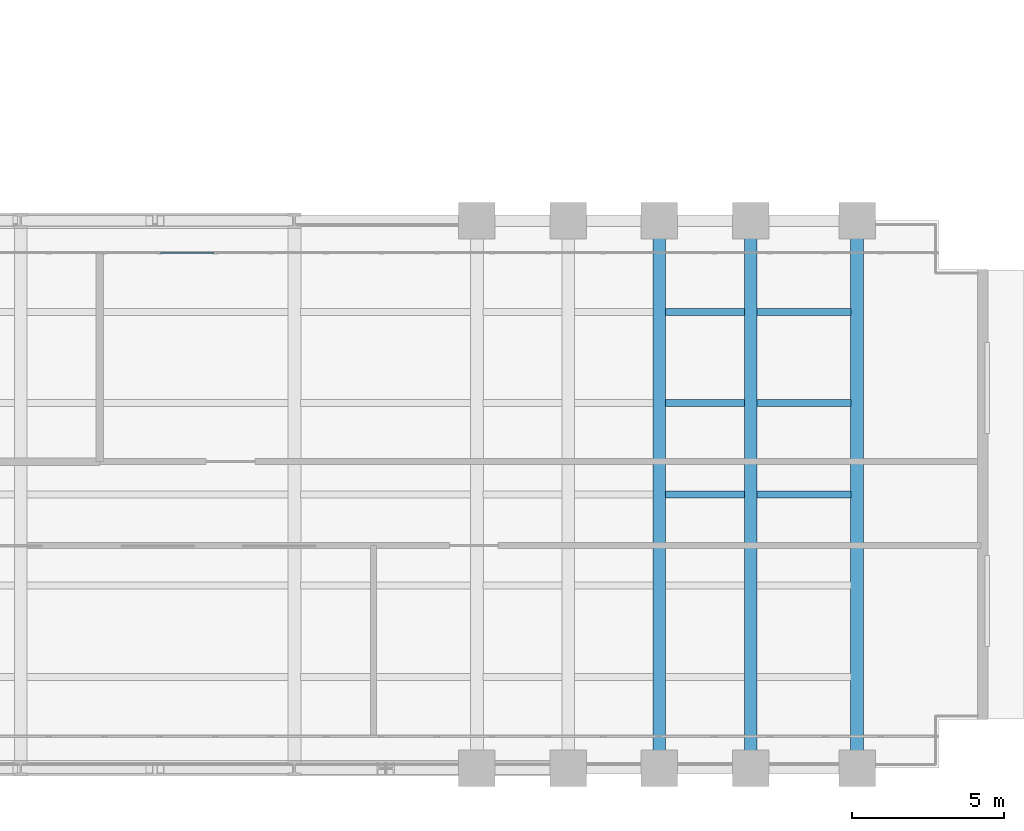
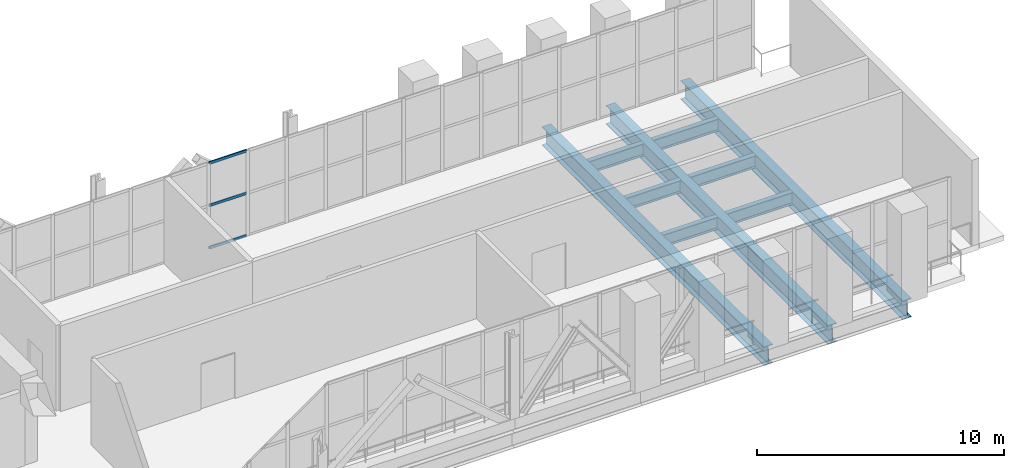
# One storey, part 16 of 27: 9 beams, 3 members, 1 element without a shape of its own.
"""IFC4 building model written with IfcOpenShell, lengths in metres."""

from ifc_helpers import new_model, si_unit, direction, frame, origin, origin_2d, place, context, subcontext, project, spatial, hollow_rectangle, i_section, extrude, material, layer, layer_set, material_profile, profile_set, type_object, element, aggregate, save


model = new_model("IFC4")

# Units and contexts
model_context = context("Model", 3, precision=1e-05, world=origin(), true_north=direction((0.0, 1.0)))
body_context = subcontext(model_context, "Body", "Model", "MODEL_VIEW")
ifc_project = project(units=[si_unit("LENGTHUNIT", "METRE"), si_unit("AREAUNIT", "SQUARE_METRE"), si_unit("VOLUMEUNIT", "CUBIC_METRE"), si_unit("PLANEANGLEUNIT", "RADIAN"), si_unit("MASSUNIT", "GRAM", prefix="KILO")], contexts=[model_context])

# Site, building, storey
site_placement = place(None, origin())
site = spatial("IfcSite", under=ifc_project, at=site_placement, CompositionType="ELEMENT")
building_placement = place(site_placement, origin())
building = spatial("IfcBuilding", under=site, at=building_placement, Name="Mawjdan Bourse Tower", CompositionType="ELEMENT")
storey_placement = place(building_placement, frame((0.0, 0.0, 84.60009765625)))
storey = spatial("IfcBuildingStorey", under=building, at=storey_placement, Name="L19", CompositionType="ELEMENT", Elevation=84.60009765625)

# Beams
ifc_material_1 = material(Name="Structural Steel S460", Category="steel")
ifc_material_profile_1 = material_profile(ifc_material_1, i_section(OverallWidth=0.41796875, OverallDepth=0.927001953125, WebThickness=0.019287109375, FlangeThickness=0.031982421875, FilletRadius=0.025634765625, at=origin_2d()), Name="W36X231")
ifc_profile_set_1 = profile_set([ifc_material_profile_1], Name="Structural Steel S460")
beam_type_1 = type_object("IfcBeamType", Name="GRD-W36X231", PredefinedType="BEAM", material=ifc_profile_set_1)
for number, where, z_axis, x_axis, name in (
    (1, (54.0, 3.0, -0.74365234375), (0.0, 1.0, 0.0), (-1.0, 0.0, 0.0), "L19 East Wing Clear-Span Girder 006"),
    (2, (57.0, 3.0, -0.74365234375), (0.0, 1.0, 0.0), (-1.0, 0.0, 0.0), "L19 East Wing Clear-Span Girder 007"),
    (3, (60.5, 3.0, -0.74365234375), (0.0, 1.0, 0.0), (-1.0, 0.0, 0.0), "L19 East Wing Clear-Span Girder 008"),
):
    element("IfcBeam", number, at=place(storey_placement, frame(where, z_axis=z_axis, x_axis=x_axis)), inside=storey, type_object=beam_type_1, Name=name, PredefinedType="BEAM", context=body_context, shape_type="SweptSolid", body=[
        extrude(i_section(OverallWidth=0.41796875, OverallDepth=0.927001953125, WebThickness=0.019287109375, FlangeThickness=0.031982421875, FilletRadius=0.025634765625, at=origin_2d()), origin(), (0.0, 0.0, 1.0), 18.0),
    ])
ifc_material_2 = material(Name="Structural Steel S355", Category="steel")
ifc_material_profile_2 = material_profile(ifc_material_2, i_section(OverallWidth=0.22998046875, OverallDepth=0.616943359375, WebThickness=0.01318359375, FlangeThickness=0.022216796875, FilletRadius=0.017822265625, at=origin_2d()), Name="W24X94")
ifc_profile_set_2 = profile_set([ifc_material_profile_2], Name="Structural Steel S355")
beam_type_2 = type_object("IfcBeamType", Name="JST-W24X94", PredefinedType="JOIST", material=ifc_profile_set_2)
beam_1_placement = place(storey_placement, frame((54.20703125, 12.0, -0.588623046875), z_axis=(1.0, 0.0, 0.0), x_axis=(0.0, 1.0, 0.0)))
element("IfcBeam", 4, at=beam_1_placement, inside=storey, type_object=beam_type_2, Name="L19 East Wing Composite Joist 042", PredefinedType="JOIST", context=body_context, shape_type="SweptSolid", body=[
    extrude(i_section(OverallWidth=0.22998046875, OverallDepth=0.616943359375, WebThickness=0.01318359375, FlangeThickness=0.022216796875, FilletRadius=0.017822265625, at=origin_2d()), origin(), (0.0, 0.0, 1.0), 2.5859375),
])
beam_2_placement = place(storey_placement, frame((57.20703125, 12.0, -0.588623046875), z_axis=(1.0, 0.0, 0.0), x_axis=(0.0, 1.0, 0.0)))
element("IfcBeam", 5, at=beam_2_placement, inside=storey, type_object=beam_type_2, Name="L19 East Wing Composite Joist 043", PredefinedType="JOIST", context=body_context, shape_type="SweptSolid", body=[
    extrude(i_section(OverallWidth=0.22998046875, OverallDepth=0.616943359375, WebThickness=0.01318359375, FlangeThickness=0.022216796875, FilletRadius=0.017822265625, at=origin_2d()), origin(), (0.0, 0.0, 1.0), 3.0859375),
])
beam_3_placement = place(storey_placement, frame((54.20703125, 15.0, -0.588623046875), z_axis=(1.0, 0.0, 0.0), x_axis=(0.0, 1.0, 0.0)))
element("IfcBeam", 6, at=beam_3_placement, inside=storey, type_object=beam_type_2, Name="L19 East Wing Composite Joist 049", PredefinedType="JOIST", context=body_context, shape_type="SweptSolid", body=[
    extrude(i_section(OverallWidth=0.22998046875, OverallDepth=0.616943359375, WebThickness=0.01318359375, FlangeThickness=0.022216796875, FilletRadius=0.017822265625, at=origin_2d()), origin(), (0.0, 0.0, 1.0), 2.5859375),
])
beam_4_placement = place(storey_placement, frame((57.20703125, 15.0, -0.588623046875), z_axis=(1.0, 0.0, 0.0), x_axis=(0.0, 1.0, 0.0)))
element("IfcBeam", 7, at=beam_4_placement, inside=storey, type_object=beam_type_2, Name="L19 East Wing Composite Joist 050", PredefinedType="JOIST", context=body_context, shape_type="SweptSolid", body=[
    extrude(i_section(OverallWidth=0.22998046875, OverallDepth=0.616943359375, WebThickness=0.01318359375, FlangeThickness=0.022216796875, FilletRadius=0.017822265625, at=origin_2d()), origin(), (0.0, 0.0, 1.0), 3.0859375),
])
beam_5_placement = place(storey_placement, frame((54.20703125, 18.0, -0.588623046875), z_axis=(1.0, 0.0, 0.0), x_axis=(0.0, 1.0, 0.0)))
element("IfcBeam", 8, at=beam_5_placement, inside=storey, type_object=beam_type_2, Name="L19 East Wing Composite Joist 056", PredefinedType="JOIST", context=body_context, shape_type="SweptSolid", body=[
    extrude(i_section(OverallWidth=0.22998046875, OverallDepth=0.616943359375, WebThickness=0.01318359375, FlangeThickness=0.022216796875, FilletRadius=0.017822265625, at=origin_2d()), origin(), (0.0, 0.0, 1.0), 2.5859375),
])
beam_6_placement = place(storey_placement, frame((57.20703125, 18.0, -0.588623046875), z_axis=(1.0, 0.0, 0.0), x_axis=(0.0, 1.0, 0.0)))
element("IfcBeam", 9, at=beam_6_placement, inside=storey, type_object=beam_type_2, Name="L19 East Wing Composite Joist 057", PredefinedType="JOIST", context=body_context, shape_type="SweptSolid", body=[
    extrude(i_section(OverallWidth=0.22998046875, OverallDepth=0.616943359375, WebThickness=0.01318359375, FlangeThickness=0.022216796875, FilletRadius=0.017822265625, at=origin_2d()), origin(), (0.0, 0.0, 1.0), 3.0859375),
])

# Curtain wall, members
ifc_material_3 = material(Name="Thermally Broken Aluminium and Solar Glass", Category="aluminium")
ifc_layer = layer(ifc_material_3, 0.219970703125)
ifc_layer_set = layer_set([ifc_layer], Name="Thermally Broken Aluminium and Solar Glass")
curtain_wall_type = type_object("IfcCurtainWallType", Name="CW-RFG", PredefinedType="USERDEFINED", material=ifc_layer_set)
curtain_wall_placement = place(storey_placement, origin())
curtain_wall = element("IfcCurtainWall", 10, at=curtain_wall_placement, inside=storey, type_object=curtain_wall_type, Name="L19 Refuge Band North Louvre Curtain Wall", ObjectType="REFUGE BAND LOUVRE SCREEN", PredefinedType="USERDEFINED")
ifc_material_4 = material(Name="Thermally Broken Anodised Aluminium", Category="aluminium")
ifc_material_profile_3 = material_profile(ifc_material_4, hollow_rectangle(XDim=0.054931640625, YDim=0.1298828125, WallThickness=0.00341796875, at=origin_2d()), Name="ALU-TRN-130X55")
ifc_profile_set_3 = profile_set([ifc_material_profile_3], Name="Thermally Broken Anodised Aluminium")
member_type = type_object("IfcMemberType", Name="TRN-ALU-TRN-130X55", PredefinedType="USERDEFINED", material=ifc_profile_set_3)
member_1_placement = place(storey_placement, frame((39.35791015625, 19.949951171875, 0.02734375), z_axis=(-1.0, 0.0, 0.0), x_axis=(0.0, -1.0, 0.0)))
member_1 = element("IfcMember", 11, at=member_1_placement, type_object=member_type, Name="CW-RFG-L19-RFG-N transom 14.1", ObjectType="TRANSOM", PredefinedType="USERDEFINED", context=body_context, shape_type="SweptSolid", body=[
    extrude(hollow_rectangle(XDim=0.054931640625, YDim=0.1298828125, WallThickness=0.00341796875, at=origin_2d()), origin(), (0.0, 0.0, 1.0), 1.7587890625),
])
member_2_placement = place(storey_placement, frame((39.35791015625, 19.949951171875, 2.125), z_axis=(-1.0, 0.0, 0.0), x_axis=(0.0, -1.0, 0.0)))
member_2 = element("IfcMember", 12, at=member_2_placement, type_object=member_type, Name="CW-RFG-L19-RFG-N transom 14.2", ObjectType="TRANSOM", PredefinedType="USERDEFINED", context=body_context, shape_type="SweptSolid", body=[
    extrude(hollow_rectangle(XDim=0.054931640625, YDim=0.1298828125, WallThickness=0.00341796875, at=origin_2d()), origin(), (0.0, 0.0, 1.0), 1.7587890625),
])
member_3_placement = place(storey_placement, frame((39.35791015625, 19.949951171875, 4.222412109375), z_axis=(-1.0, 0.0, 0.0), x_axis=(0.0, -1.0, 0.0)))
member_3 = element("IfcMember", 13, at=member_3_placement, type_object=member_type, Name="CW-RFG-L19-RFG-N transom 14.3", ObjectType="TRANSOM", PredefinedType="USERDEFINED", context=body_context, shape_type="SweptSolid", body=[
    extrude(hollow_rectangle(XDim=0.054931640625, YDim=0.1298828125, WallThickness=0.00341796875, at=origin_2d()), origin(), (0.0, 0.0, 1.0), 1.7587890625),
])
aggregate(curtain_wall, [member_1, member_2, member_3])

save(model, "model.ifc")
